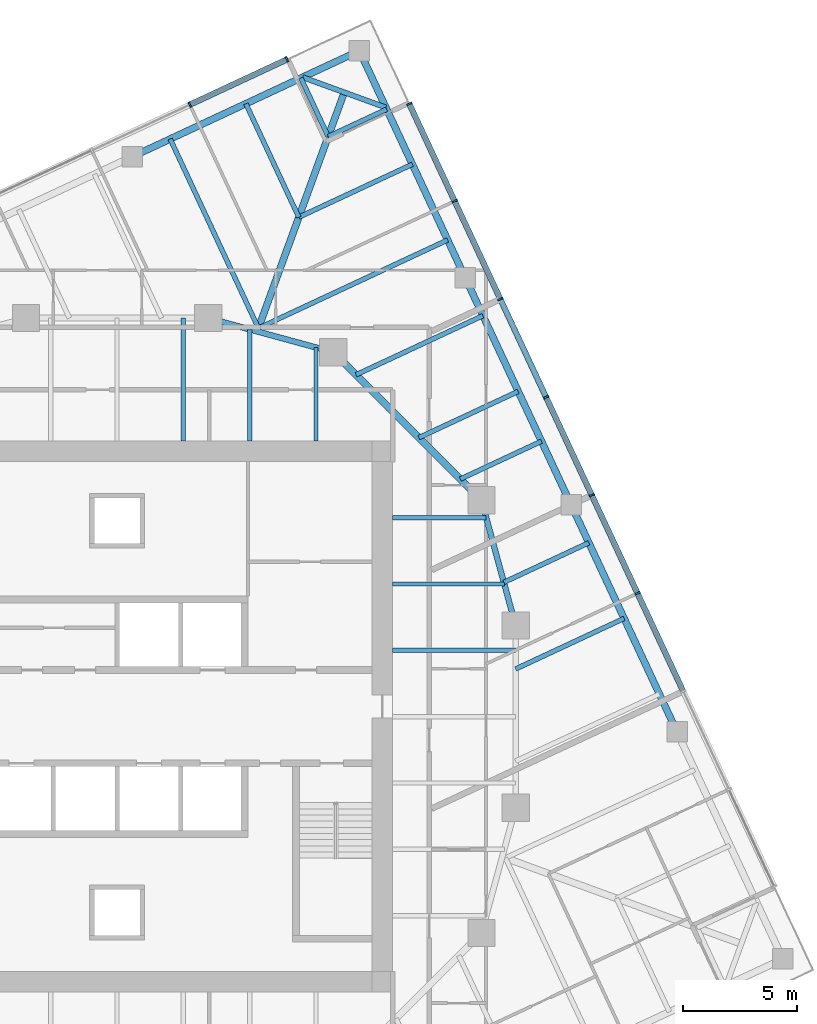
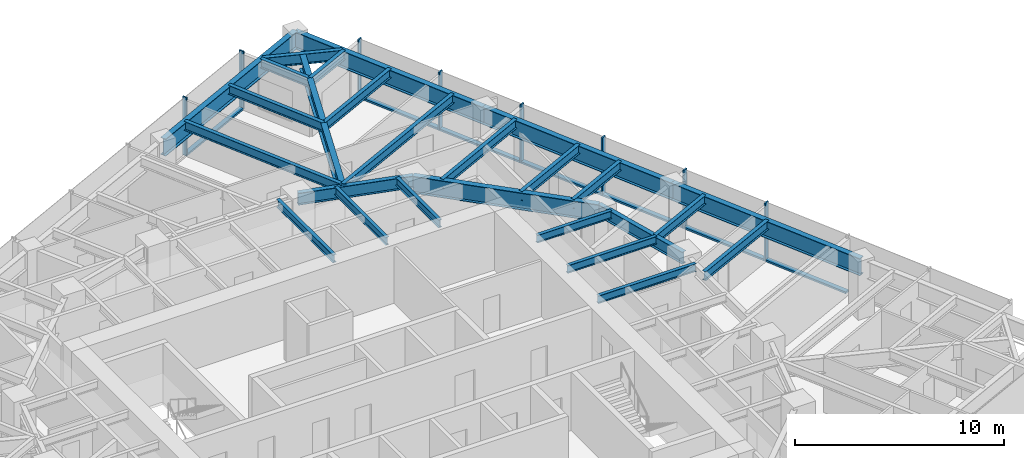
# One storey, part 5 of 12: 26 beams, 15 members, 2 elements without a shape of their own.
"""IFC4 building model written with IfcOpenShell, lengths in metres."""

from ifc_helpers import new_model, si_unit, direction, frame, origin, origin_2d, place, context, subcontext, project, spatial, rectangle, i_section, extrude, material, material_profile, profile_set, type_object, element, aggregate, save


model = new_model("IFC4")

# Units and contexts
model_context = context("Model", 3, precision=1e-05, world=origin(), true_north=direction((0.0, 1.0)))
body_context = subcontext(model_context, "Body", "Model", "MODEL_VIEW")
ifc_project = project(units=[si_unit("LENGTHUNIT", "METRE"), si_unit("AREAUNIT", "SQUARE_METRE"), si_unit("VOLUMEUNIT", "CUBIC_METRE"), si_unit("PLANEANGLEUNIT", "RADIAN"), si_unit("MASSUNIT", "GRAM", prefix="KILO")], contexts=[model_context])

# Site, building, storey
site_placement = place(None, origin())
site = spatial("IfcSite", under=ifc_project, at=site_placement, CompositionType="ELEMENT")
building_placement = place(site_placement, origin())
building = spatial("IfcBuilding", under=site, at=building_placement, Name="Torsade Residences", CompositionType="ELEMENT")
storey_placement = place(building_placement, frame((0.0, 0.0, 193.0)))
storey = spatial("IfcBuildingStorey", under=building, at=storey_placement, Name="L53", CompositionType="ELEMENT", Elevation=193.0)

# Beams
ifc_material_1 = material(Name="Steel grade 300", Category="steel")
ifc_material_profile_1 = material_profile(ifc_material_1, i_section(OverallWidth=0.300048828125, OverallDepth=0.89990234375, WebThickness=0.011962890625, FlangeThickness=0.02490234375, at=origin_2d()), Name="900WB175")
ifc_profile_set_1 = profile_set([ifc_material_profile_1], Name="Steel grade 300")
beam_type_1 = type_object("IfcBeamType", Name="CORNER GIRDER 900WB175", PredefinedType="BEAM", material=ifc_profile_set_1)
beam_1_placement = place(storey_placement, frame((49.97607421875, 57.4091796875, 2.800048828125), z_axis=(-0.342015044723, -0.93969447651, 0.0), x_axis=(0.93969447651, -0.342015044723, 0.0)))
element("IfcBeam", 1, at=beam_1_placement, inside=storey, type_object=beam_type_1, Name="Corner girder 09 L54", PredefinedType="BEAM", context=body_context, shape_type="SweptSolid", body=[
    extrude(i_section(OverallWidth=0.300048828125, OverallDepth=0.89990234375, WebThickness=0.011962890625, FlangeThickness=0.02490234375, at=origin_2d()), origin(), (0.0, 0.0, 1.0), 11.170654296875),
])
ifc_material_2 = material(Name="Steel grade 300", Category="steel")
ifc_material_profile_2 = material_profile(ifc_material_2, i_section(OverallWidth=0.22802734375, OverallDepth=0.60205078125, WebThickness=0.010498046875, FlangeThickness=0.014892578125, FilletRadius=0.013916015625, at=origin_2d()), Name="610UB101")
ifc_profile_set_2 = profile_set([ifc_material_profile_2], Name="Steel grade 300")
beam_type_2 = type_object("IfcBeamType", Name="CORNER TRIMMER 610UB101", PredefinedType="BEAM", material=ifc_profile_set_2)
beam_2_placement = place(storey_placement, frame((48.14892578125, 58.07421875, 2.948974609375), z_axis=(0.939698076972, -0.342005152204, 0.0), x_axis=(0.342005152204, 0.939698076972, 0.0)))
element("IfcBeam", 2, at=beam_2_placement, inside=storey, type_object=beam_type_2, Name="Corner trimmer 09 L54", PredefinedType="BEAM", context=body_context, shape_type="SweptSolid", body=[
    extrude(i_section(OverallWidth=0.22802734375, OverallDepth=0.60205078125, WebThickness=0.010498046875, FlangeThickness=0.014892578125, FilletRadius=0.013916015625, at=origin_2d()), origin(), (0.0, 0.0, 1.0), 3.88916015625),
])
ifc_material_3 = material(Name="Steel grade 300", Category="steel")
ifc_material_profile_3 = material_profile(ifc_material_3, i_section(OverallWidth=0.300048828125, OverallDepth=1.0, WebThickness=0.01611328125, FlangeThickness=0.028076171875, at=origin_2d()), Name="1000WB215")
ifc_profile_set_3 = profile_set([ifc_material_profile_3], Name="Steel grade 300")
beam_type_3 = type_object("IfcBeamType", Name="EDGE BEAM 1000WB215", PredefinedType="SPANDREL", material=ifc_profile_set_3)
beam_3_placement = place(storey_placement, frame((64.587646484375, 29.328125, 2.75), z_axis=(-0.422624219007, 0.906305009094, 0.0), x_axis=(-0.906305009094, -0.422624219007, 0.0)))
element("IfcBeam", 3, at=beam_3_placement, inside=storey, type_object=beam_type_3, Name="Edge beam 06 L54", PredefinedType="SPANDREL", context=body_context, shape_type="SweptSolid", body=[
    extrude(i_section(OverallWidth=0.300048828125, OverallDepth=1.0, WebThickness=0.01611328125, FlangeThickness=0.028076171875, at=origin_2d()), origin(), (0.0, 0.0, 1.0), 11.000244140625),
])
for number, where, z_axis, x_axis, name in (
    (4, (59.938720703125, 39.297607421875, 2.75), (-0.422605988587, 0.906313510001, 0.0), (-0.906313510001, -0.422605988587, 0.0), "Edge beam 07 L54"),
    (5, (55.2900390625, 49.26708984375, 2.75), (-0.422632720171, 0.90630104482, 0.0), (-0.90630104482, -0.422632720171, 0.0), "Edge beam 08 L54"),
):
    element("IfcBeam", number, at=place(storey_placement, frame(where, z_axis=z_axis, x_axis=x_axis)), inside=storey, type_object=beam_type_3, Name=name, PredefinedType="SPANDREL", context=body_context, shape_type="SweptSolid", body=[
        extrude(i_section(OverallWidth=0.300048828125, OverallDepth=1.0, WebThickness=0.01611328125, FlangeThickness=0.028076171875, at=origin_2d()), origin(), (0.0, 0.0, 1.0), 11.0),
    ])
beam_4_placement = place(storey_placement, frame((50.64111328125, 59.236328125, 2.75), z_axis=(-0.906309546032, -0.422614489543, 0.0), x_axis=(0.422614489543, -0.906309546032, 0.0)))
element("IfcBeam", 6, at=beam_4_placement, inside=storey, type_object=beam_type_3, Name="Edge beam 09 L54", PredefinedType="SPANDREL", context=body_context, shape_type="SweptSolid", body=[
    extrude(i_section(OverallWidth=0.300048828125, OverallDepth=1.0, WebThickness=0.01611328125, FlangeThickness=0.028076171875, at=origin_2d()), origin(), (0.0, 0.0, 1.0), 10.999755859375),
])
ifc_material_4 = material(Name="Steel grade 300", Category="steel")
ifc_material_profile_4 = material_profile(ifc_material_4, i_section(OverallWidth=0.18994140625, OverallDepth=0.4541015625, WebThickness=0.008544921875, FlangeThickness=0.0126953125, FilletRadius=0.011474609375, at=origin_2d()), Name="460UB67.1")
ifc_profile_set_4 = profile_set([ifc_material_profile_4], Name="Steel grade 300")
beam_type_4 = type_object("IfcBeamType", Name="INNER FLOOR BEAM 460UB67.1", PredefinedType="JOIST", material=ifc_profile_set_4)
beam_5_placement = place(storey_placement, frame((42.91259765625, 42.10009765625, 3.02294921875), z_axis=(0.0, 1.0, 0.0), x_axis=(-1.0, 0.0, 0.0)))
element("IfcBeam", 7, at=beam_5_placement, inside=storey, type_object=beam_type_4, Name="Inner floor beam IN05 L54", PredefinedType="JOIST", context=body_context, shape_type="SweptSolid", body=[
    extrude(i_section(OverallWidth=0.18994140625, OverallDepth=0.4541015625, WebThickness=0.008544921875, FlangeThickness=0.0126953125, FilletRadius=0.011474609375, at=origin_2d()), origin(), (0.0, 0.0, 1.0), 5.39990234375),
])
beam_6_placement = place(storey_placement, frame((45.824951171875, 42.10009765625, 3.02294921875), z_axis=(0.0, 1.0, 0.0), x_axis=(-1.0, 0.0, 0.0)))
element("IfcBeam", 8, at=beam_6_placement, inside=storey, type_object=beam_type_4, Name="Inner floor beam IN06 L54", PredefinedType="JOIST", context=body_context, shape_type="SweptSolid", body=[
    extrude(i_section(OverallWidth=0.18994140625, OverallDepth=0.4541015625, WebThickness=0.008544921875, FlangeThickness=0.0126953125, FilletRadius=0.011474609375, at=origin_2d()), origin(), (0.0, 0.0, 1.0), 4.902099609375),
])
beam_7_placement = place(storey_placement, frame((48.737548828125, 42.10009765625, 3.02294921875), z_axis=(0.0, 1.0, 0.0), x_axis=(-1.0, 0.0, 0.0)))
element("IfcBeam", 9, at=beam_7_placement, inside=storey, type_object=beam_type_4, Name="Inner floor beam IN07 L54", PredefinedType="JOIST", context=body_context, shape_type="SweptSolid", body=[
    extrude(i_section(OverallWidth=0.18994140625, OverallDepth=0.4541015625, WebThickness=0.008544921875, FlangeThickness=0.0126953125, FilletRadius=0.011474609375, at=origin_2d()), origin(), (0.0, 0.0, 1.0), 4.10791015625),
])
beam_8_placement = place(storey_placement, frame((52.10009765625, 32.91259765625, 3.02294921875), z_axis=(1.0, 0.0, 0.0), x_axis=(0.0, 1.0, 0.0)))
element("IfcBeam", 10, at=beam_8_placement, inside=storey, type_object=beam_type_4, Name="Inner floor beam IE05 L54", PredefinedType="JOIST", context=body_context, shape_type="SweptSolid", body=[
    extrude(i_section(OverallWidth=0.18994140625, OverallDepth=0.4541015625, WebThickness=0.008544921875, FlangeThickness=0.0126953125, FilletRadius=0.011474609375, at=origin_2d()), origin(), (0.0, 0.0, 1.0), 5.39990234375),
])
beam_9_placement = place(storey_placement, frame((52.10009765625, 35.824951171875, 3.02294921875), z_axis=(1.0, 0.0, 0.0), x_axis=(0.0, 1.0, 0.0)))
element("IfcBeam", 11, at=beam_9_placement, inside=storey, type_object=beam_type_4, Name="Inner floor beam IE06 L54", PredefinedType="JOIST", context=body_context, shape_type="SweptSolid", body=[
    extrude(i_section(OverallWidth=0.18994140625, OverallDepth=0.4541015625, WebThickness=0.008544921875, FlangeThickness=0.0126953125, FilletRadius=0.011474609375, at=origin_2d()), origin(), (0.0, 0.0, 1.0), 4.902099609375),
])
beam_10_placement = place(storey_placement, frame((52.10009765625, 38.737548828125, 3.02294921875), z_axis=(1.0, 0.0, 0.0), x_axis=(0.0, 1.0, 0.0)))
element("IfcBeam", 12, at=beam_10_placement, inside=storey, type_object=beam_type_4, Name="Inner floor beam IE07 L54", PredefinedType="JOIST", context=body_context, shape_type="SweptSolid", body=[
    extrude(i_section(OverallWidth=0.18994140625, OverallDepth=0.4541015625, WebThickness=0.008544921875, FlangeThickness=0.0126953125, FilletRadius=0.011474609375, at=origin_2d()), origin(), (0.0, 0.0, 1.0), 4.10791015625),
])

# Curtain wall, members
ifc_material_5 = material(Name="Aluminium and glass", Category="aluminium")
curtain_wall_type = type_object("IfcCurtainWallType", Name="FRITTED GLASS CURTAIN WALL MID ZONE", PredefinedType="NOTDEFINED", material=ifc_material_5)
curtain_wall_1_placement = place(storey_placement, origin())
curtain_wall_1 = element("IfcCurtainWall", 13, at=curtain_wall_1_placement, inside=storey, type_object=curtain_wall_type, Name="Curtain wall L53 face 4", PredefinedType="NOTDEFINED")
ifc_material_6 = material(Name="Aluminium mullion", Category="aluminium")
ifc_material_profile_5 = material_profile(ifc_material_6, rectangle(XDim=0.25, YDim=0.080078125, at=origin_2d()), Name="MID ZONE CURTAIN WALL MULLION 250x80")
ifc_profile_set_5 = profile_set([ifc_material_profile_5], Name="Aluminium mullion")
member_type_1 = type_object("IfcMemberType", Name="MID ZONE CURTAIN WALL MULLION 250x80", PredefinedType="MULLION", material=ifc_profile_set_5)
member_1_placement = place(storey_placement, frame((62.8525390625, 35.415283203125, 0.0), z_axis=(0.0, 0.0, 1.0), x_axis=(-0.906307786926, -0.422618261978, 0.0)))
member_1 = element("IfcMember", 14, at=member_1_placement, type_object=member_type_1, Name="Mullion 4", PredefinedType="MULLION", context=body_context, shape_type="SweptSolid", body=[
    extrude(rectangle(XDim=0.25, YDim=0.080078125, at=origin_2d()), origin(), (0.0, 0.0, 1.0), 3.39990234375),
])
member_2_placement = place(storey_placement, frame((60.844970703125, 39.72021484375, 0.0), z_axis=(0.0, 0.0, 1.0), x_axis=(-0.906307786926, -0.422618261978, 0.0)))
member_2 = element("IfcMember", 15, at=member_2_placement, type_object=member_type_1, Name="Mullion 5", PredefinedType="MULLION", context=body_context, shape_type="SweptSolid", body=[
    extrude(rectangle(XDim=0.25, YDim=0.080078125, at=origin_2d()), origin(), (0.0, 0.0, 1.0), 3.39990234375),
])
member_3_placement = place(storey_placement, frame((58.837646484375, 44.025146484375, 0.0), z_axis=(0.0, 0.0, 1.0), x_axis=(-0.906307786926, -0.422618261978, 0.0)))
member_3 = element("IfcMember", 16, at=member_3_placement, type_object=member_type_1, Name="Mullion 6", PredefinedType="MULLION", context=body_context, shape_type="SweptSolid", body=[
    extrude(rectangle(XDim=0.25, YDim=0.080078125, at=origin_2d()), origin(), (0.0, 0.0, 1.0), 3.39990234375),
])
member_4_placement = place(storey_placement, frame((56.830322265625, 48.330078125, 0.0), z_axis=(0.0, 0.0, 1.0), x_axis=(-0.906307786926, -0.422618261978, 0.0)))
member_4 = element("IfcMember", 17, at=member_4_placement, type_object=member_type_1, Name="Mullion 7", PredefinedType="MULLION", context=body_context, shape_type="SweptSolid", body=[
    extrude(rectangle(XDim=0.25, YDim=0.080078125, at=origin_2d()), origin(), (0.0, 0.0, 1.0), 3.39990234375),
])
member_5_placement = place(storey_placement, frame((54.82275390625, 52.635009765625, 0.0), z_axis=(0.0, 0.0, 1.0), x_axis=(-0.906307786926, -0.422618261978, 0.0)))
member_5 = element("IfcMember", 18, at=member_5_placement, type_object=member_type_1, Name="Mullion 8", PredefinedType="MULLION", context=body_context, shape_type="SweptSolid", body=[
    extrude(rectangle(XDim=0.25, YDim=0.080078125, at=origin_2d()), origin(), (0.0, 0.0, 1.0), 3.39990234375),
])
member_6_placement = place(storey_placement, frame((52.832275390625, 56.90380859375, 0.0), z_axis=(0.0, 0.0, 1.0), x_axis=(-0.906307786926, -0.422618261978, 0.0)))
member_6 = element("IfcMember", 19, at=member_6_placement, type_object=member_type_1, Name="Mullion 9", PredefinedType="MULLION", context=body_context, shape_type="SweptSolid", body=[
    extrude(rectangle(XDim=0.25, YDim=0.080078125, at=origin_2d()), origin(), (0.0, 0.0, 1.0), 3.39990234375),
])

curtain_wall_2_placement = place(storey_placement, origin())
curtain_wall_2 = element("IfcCurtainWall", 20, at=curtain_wall_2_placement, inside=storey, type_object=curtain_wall_type, Name="Curtain wall L53 face 7", PredefinedType="NOTDEFINED")
member_7_placement = place(storey_placement, frame((47.46337890625, 58.85791015625, 0.0), z_axis=(0.0, 0.0, 1.0), x_axis=(0.422618261978, -0.906307786926, 0.0)))
member_7 = element("IfcMember", 21, at=member_7_placement, type_object=member_type_1, Name="Mullion 1", PredefinedType="MULLION", context=body_context, shape_type="SweptSolid", body=[
    extrude(rectangle(XDim=0.25, YDim=0.080078125, at=origin_2d()), origin(), (0.0, 0.0, 1.0), 3.39990234375),
])
member_8_placement = place(storey_placement, frame((43.194580078125, 56.867431640625, 0.0), z_axis=(0.0, 0.0, 1.0), x_axis=(0.422618261978, -0.906307786926, 0.0)))
member_8 = element("IfcMember", 22, at=member_8_placement, type_object=member_type_1, Name="Mullion 2", PredefinedType="MULLION", context=body_context, shape_type="SweptSolid", body=[
    extrude(rectangle(XDim=0.25, YDim=0.080078125, at=origin_2d()), origin(), (0.0, 0.0, 1.0), 3.39990234375),
])

# Member
ifc_material_7 = material(Name="Aluminium transom", Category="aluminium")
ifc_material_profile_6 = material_profile(ifc_material_7, rectangle(XDim=0.25, YDim=0.110107421875, at=origin_2d()), Name="MID ZONE CURTAIN WALL TRANSOM 250x110")
ifc_profile_set_6 = profile_set([ifc_material_profile_6], Name="Aluminium transom")
member_type_2 = type_object("IfcMemberType", Name="MID ZONE CURTAIN WALL TRANSOM 250x110", PredefinedType="USERDEFINED", material=ifc_profile_set_6)
member_9_placement = place(storey_placement, frame((64.843017578125, 31.146484375, 0.054931640625), z_axis=(-0.422622145291, 0.906305976097, 0.0), x_axis=(-0.906305976097, -0.422622145291, 0.0)))
member_9 = element("IfcMember", 23, at=member_9_placement, type_object=member_type_2, Name="Transom 3.1", ObjectType="TRANSOM", PredefinedType="USERDEFINED", context=body_context, shape_type="SweptSolid", body=[
    extrude(rectangle(XDim=0.25, YDim=0.110107421875, at=origin_2d()), origin(), (0.0, 0.0, 1.0), 4.669921875),
])

member_10_placement = place(storey_placement, frame((62.835693359375, 35.451416015625, 0.054931640625), z_axis=(-0.422602122035, 0.90631531293, 0.0), x_axis=(-0.90631531293, -0.422602122035, 0.0)))
member_10 = element("IfcMember", 24, at=member_10_placement, type_object=member_type_2, Name="Transom 4.1", ObjectType="TRANSOM", PredefinedType="USERDEFINED", context=body_context, shape_type="SweptSolid", body=[
    extrude(rectangle(XDim=0.25, YDim=0.110107421875, at=origin_2d()), origin(), (0.0, 0.0, 1.0), 4.670166015625),
])

member_11_placement = place(storey_placement, frame((60.828125, 39.756591796875, 0.054931640625), z_axis=(-0.422622145291, 0.906305976097, 0.0), x_axis=(-0.906305976097, -0.422622145291, 0.0)))
member_11 = element("IfcMember", 25, at=member_11_placement, type_object=member_type_2, Name="Transom 5.1", ObjectType="TRANSOM", PredefinedType="USERDEFINED", context=body_context, shape_type="SweptSolid", body=[
    extrude(rectangle(XDim=0.25, YDim=0.110107421875, at=origin_2d()), origin(), (0.0, 0.0, 1.0), 4.669921875),
])

member_12_placement = place(storey_placement, frame((58.82080078125, 44.0615234375, 0.054931640625), z_axis=(-0.422622145291, 0.906305976097, 0.0), x_axis=(-0.906305976097, -0.422622145291, 0.0)))
member_12 = element("IfcMember", 26, at=member_12_placement, type_object=member_type_2, Name="Transom 6.1", ObjectType="TRANSOM", PredefinedType="USERDEFINED", context=body_context, shape_type="SweptSolid", body=[
    extrude(rectangle(XDim=0.25, YDim=0.110107421875, at=origin_2d()), origin(), (0.0, 0.0, 1.0), 4.669921875),
])

member_13_placement = place(storey_placement, frame((56.813232421875, 48.366455078125, 0.054931640625), z_axis=(-0.422622145291, 0.906305976097, 0.0), x_axis=(-0.906305976097, -0.422622145291, 0.0)))
member_13 = element("IfcMember", 27, at=member_13_placement, type_object=member_type_2, Name="Transom 7.1", ObjectType="TRANSOM", PredefinedType="USERDEFINED", context=body_context, shape_type="SweptSolid", body=[
    extrude(rectangle(XDim=0.25, YDim=0.110107421875, at=origin_2d()), origin(), (0.0, 0.0, 1.0), 4.669921875),
])

member_14_placement = place(storey_placement, frame((54.805908203125, 52.67138671875, 0.054931640625), z_axis=(-0.422622764878, 0.906305687176, 0.0), x_axis=(-0.906305687176, -0.422622764878, 0.0)))
member_14 = element("IfcMember", 28, at=member_14_placement, type_object=member_type_2, Name="Transom 8.1", ObjectType="TRANSOM", PredefinedType="USERDEFINED", context=body_context, shape_type="SweptSolid", body=[
    extrude(rectangle(XDim=0.25, YDim=0.110107421875, at=origin_2d()), origin(), (0.0, 0.0, 1.0), 4.630126953125),
])

aggregate(curtain_wall_1, [member_1, member_2, member_3, member_4, member_5, member_6, member_9, member_10, member_11, member_12, member_13, member_14])

member_15_placement = place(storey_placement, frame((47.427001953125, 58.841064453125, 0.054931640625), z_axis=(-0.906296268578, -0.422642962277, 0.0), x_axis=(0.422642962277, -0.906296268578, 0.0)))
member_15 = element("IfcMember", 29, at=member_15_placement, type_object=member_type_2, Name="Transom 1.1", ObjectType="TRANSOM", PredefinedType="USERDEFINED", context=body_context, shape_type="SweptSolid", body=[
    extrude(rectangle(XDim=0.25, YDim=0.110107421875, at=origin_2d()), origin(), (0.0, 0.0, 1.0), 4.6298828125),
])

aggregate(curtain_wall_2, [member_7, member_8, member_15])

# Beams
ifc_material_8 = material(Name="Steel grade 300", Category="steel")
ifc_material_profile_7 = material_profile(ifc_material_8, i_section(OverallWidth=0.300048828125, OverallDepth=1.0, WebThickness=0.01611328125, FlangeThickness=0.028076171875, at=origin_2d()), Name="1000WB215")
ifc_profile_set_7 = profile_set([ifc_material_profile_7], Name="Steel grade 300")
beam_type_5 = type_object("IfcBeamType", Name="RING CORNER GIRDER 1000WB215", PredefinedType="BEAM", material=ifc_profile_set_7)
beam_11_placement = place(storey_placement, frame((56.0, 39.5, 2.75), z_axis=(-0.707106781187, 0.707106781187, 0.0), x_axis=(-0.707106781187, -0.707106781187, 0.0)))
element("IfcBeam", 30, at=beam_11_placement, inside=storey, type_object=beam_type_5, Name="Ring girder IR03 L54", PredefinedType="BEAM", context=body_context, shape_type="SweptSolid", body=[
    extrude(i_section(OverallWidth=0.300048828125, OverallDepth=1.0, WebThickness=0.01611328125, FlangeThickness=0.028076171875, at=origin_2d()), origin(), (0.0, 0.0, 1.0), 9.1923828125),
])
ifc_material_9 = material(Name="Steel grade 300", Category="steel")
ifc_material_profile_8 = material_profile(ifc_material_9, i_section(OverallWidth=0.25, OverallDepth=0.699951171875, WebThickness=0.010009765625, FlangeThickness=0.02001953125, at=origin_2d()), Name="700WB130")
ifc_profile_set_8 = profile_set([ifc_material_profile_8], Name="Steel grade 300")
beam_type_6 = type_object("IfcBeamType", Name="RING GIRDER 700WB130", PredefinedType="BEAM", material=ifc_profile_set_8)
for number, where, z_axis, x_axis, name in (
    (31, (57.5, 34.0, 2.89990234375), (-0.263117405792, 0.964763821238, 0.0), (-0.964763821238, -0.263117405792, 0.0), "Ring girder IR02 L54"),
    (32, (49.5, 46.0, 2.89990234375), (-0.964763821238, 0.263117405792, 0.0), (-0.263117405792, -0.964763821238, 0.0), "Ring girder IR04 L54"),
):
    element("IfcBeam", number, at=place(storey_placement, frame(where, z_axis=z_axis, x_axis=x_axis)), inside=storey, type_object=beam_type_6, Name=name, PredefinedType="BEAM", context=body_context, shape_type="SweptSolid", body=[
        extrude(i_section(OverallWidth=0.25, OverallDepth=0.699951171875, WebThickness=0.010009765625, FlangeThickness=0.02001953125, at=origin_2d()), origin(), (0.0, 0.0, 1.0), 5.700927734375),
    ])
ifc_material_10 = material(Name="Steel grade 300", Category="steel")
ifc_material_profile_9 = material_profile(ifc_material_10, i_section(OverallWidth=0.208984375, OverallDepth=0.528076171875, WebThickness=0.009521484375, FlangeThickness=0.01318359375, FilletRadius=0.013916015625, at=origin_2d()), Name="530UB82.0")
ifc_profile_set_9 = profile_set([ifc_material_profile_9], Name="Steel grade 300")
beam_type_7 = type_object("IfcBeamType", Name="SECONDARY BEAM 530UB82.0", PredefinedType="JOIST", material=ifc_profile_set_9)
beam_12_placement = place(storey_placement, frame((62.26318359375, 34.31298828125, 2.986083984375), z_axis=(-0.90630178035, -0.422631142882, 0.0), x_axis=(0.422631142882, -0.90630178035, 0.0)))
element("IfcBeam", 33, at=beam_12_placement, inside=storey, type_object=beam_type_7, Name="Floor beam FE05 L54", PredefinedType="JOIST", context=body_context, shape_type="SweptSolid", body=[
    extrude(i_section(OverallWidth=0.208984375, OverallDepth=0.528076171875, WebThickness=0.009521484375, FlangeThickness=0.01318359375, FilletRadius=0.013916015625, at=origin_2d()), origin(), (0.0, 0.0, 1.0), 5.255615234375),
])
beam_13_placement = place(storey_placement, frame((60.713623046875, 37.635986328125, 2.986083984375), z_axis=(-0.906299775267, -0.422635442612, 0.0), x_axis=(0.422635442612, -0.906299775267, 0.0)))
element("IfcBeam", 34, at=beam_13_placement, inside=storey, type_object=beam_type_7, Name="Floor beam FE06 L54", PredefinedType="JOIST", context=body_context, shape_type="SweptSolid", body=[
    extrude(i_section(OverallWidth=0.208984375, OverallDepth=0.528076171875, WebThickness=0.009521484375, FlangeThickness=0.01318359375, FilletRadius=0.013916015625, at=origin_2d()), origin(), (0.0, 0.0, 1.0), 4.116455078125),
])
beam_14_placement = place(storey_placement, frame((58.6357421875, 42.092041015625, 2.986083984375), z_axis=(-0.906295680735, -0.422644222818, 0.0), x_axis=(0.422644222818, -0.906295680735, 0.0)))
element("IfcBeam", 35, at=beam_14_placement, inside=storey, type_object=beam_type_7, Name="Floor beam FE07 L54", PredefinedType="JOIST", context=body_context, shape_type="SweptSolid", body=[
    extrude(i_section(OverallWidth=0.208984375, OverallDepth=0.528076171875, WebThickness=0.009521484375, FlangeThickness=0.01318359375, FilletRadius=0.013916015625, at=origin_2d()), origin(), (0.0, 0.0, 1.0), 3.933837890625),
])
beam_15_placement = place(storey_placement, frame((57.6142578125, 44.2822265625, 2.986083984375), z_axis=(-0.906307500203, -0.422618876857, 0.0), x_axis=(0.422618876857, -0.906307500203, 0.0)))
element("IfcBeam", 36, at=beam_15_placement, inside=storey, type_object=beam_type_7, Name="Floor beam FE08 L54", PredefinedType="JOIST", context=body_context, shape_type="SweptSolid", body=[
    extrude(i_section(OverallWidth=0.208984375, OverallDepth=0.528076171875, WebThickness=0.009521484375, FlangeThickness=0.01318359375, FilletRadius=0.013916015625, at=origin_2d()), origin(), (0.0, 0.0, 1.0), 4.813232421875),
])
beam_16_placement = place(storey_placement, frame((56.064697265625, 47.60546875, 2.986083984375), z_axis=(-0.906293692233, -0.42264848683, 0.0), x_axis=(0.42264848683, -0.906293692233, 0.0)))
element("IfcBeam", 37, at=beam_16_placement, inside=storey, type_object=beam_type_7, Name="Floor beam FE09 L54", PredefinedType="JOIST", context=body_context, shape_type="SweptSolid", body=[
    extrude(i_section(OverallWidth=0.208984375, OverallDepth=0.528076171875, WebThickness=0.009521484375, FlangeThickness=0.01318359375, FilletRadius=0.013916015625, at=origin_2d()), origin(), (0.0, 0.0, 1.0), 6.14794921875),
])
beam_17_placement = place(storey_placement, frame((54.51513671875, 50.928466796875, 2.986083984375), z_axis=(-0.90630761667, -0.422618627092, 0.0), x_axis=(0.422618627092, -0.90630761667, 0.0)))
element("IfcBeam", 38, at=beam_17_placement, inside=storey, type_object=beam_type_7, Name="Floor beam FE10 L54", PredefinedType="JOIST", context=body_context, shape_type="SweptSolid", body=[
    extrude(i_section(OverallWidth=0.208984375, OverallDepth=0.528076171875, WebThickness=0.009521484375, FlangeThickness=0.01318359375, FilletRadius=0.013916015625, at=origin_2d()), origin(), (0.0, 0.0, 1.0), 9.166748046875),
])
beam_18_placement = place(storey_placement, frame((52.965576171875, 54.251708984375, 2.986083984375), z_axis=(-0.90630104482, -0.422632720171, 0.0), x_axis=(0.422632720171, -0.90630104482, 0.0)))
element("IfcBeam", 39, at=beam_18_placement, inside=storey, type_object=beam_type_7, Name="Floor beam FE11 L54", PredefinedType="JOIST", context=body_context, shape_type="SweptSolid", body=[
    extrude(i_section(OverallWidth=0.208984375, OverallDepth=0.528076171875, WebThickness=0.009521484375, FlangeThickness=0.01318359375, FilletRadius=0.013916015625, at=origin_2d()), origin(), (0.0, 0.0, 1.0), 5.5),
])
for number, where, z_axis, x_axis, name in (
    (40, (51.838623046875, 56.66845703125, 2.986083984375), (-0.906328379221, -0.42257409885, 0.0), (0.42257409885, -0.906328379221, 0.0), "Floor beam FE12 L54"),
    (41, (48.0732421875, 58.0390625, 2.986083984375), (0.422644877104, -0.906295375613, 0.0), (0.906295375613, 0.422644877104, 0.0), "Floor beam FN01 L54"),
):
    element("IfcBeam", number, at=place(storey_placement, frame(where, z_axis=z_axis, x_axis=x_axis)), inside=storey, type_object=beam_type_7, Name=name, PredefinedType="JOIST", context=body_context, shape_type="SweptSolid", body=[
        extrude(i_section(OverallWidth=0.208984375, OverallDepth=0.528076171875, WebThickness=0.009521484375, FlangeThickness=0.01318359375, FilletRadius=0.013916015625, at=origin_2d()), origin(), (0.0, 0.0, 1.0), 2.833251953125),
    ])
beam_19_placement = place(storey_placement, frame((45.656494140625, 56.911865234375, 2.986083984375), z_axis=(0.422632720171, -0.90630104482, 0.0), x_axis=(0.90630104482, 0.422632720171, 0.0)))
element("IfcBeam", 42, at=beam_19_placement, inside=storey, type_object=beam_type_7, Name="Floor beam FN02 L54", PredefinedType="JOIST", context=body_context, shape_type="SweptSolid", body=[
    extrude(i_section(OverallWidth=0.208984375, OverallDepth=0.528076171875, WebThickness=0.009521484375, FlangeThickness=0.01318359375, FilletRadius=0.013916015625, at=origin_2d()), origin(), (0.0, 0.0, 1.0), 5.5),
])
beam_20_placement = place(storey_placement, frame((42.333251953125, 55.3623046875, 2.986083984375), z_axis=(0.422618627092, -0.90630761667, 0.0), x_axis=(0.90630761667, 0.422618627092, 0.0)))
element("IfcBeam", 43, at=beam_20_placement, inside=storey, type_object=beam_type_7, Name="Floor beam FN03 L54", PredefinedType="JOIST", context=body_context, shape_type="SweptSolid", body=[
    extrude(i_section(OverallWidth=0.208984375, OverallDepth=0.528076171875, WebThickness=0.009521484375, FlangeThickness=0.01318359375, FilletRadius=0.013916015625, at=origin_2d()), origin(), (0.0, 0.0, 1.0), 9.166748046875),
])

save(model, "model.ifc")
